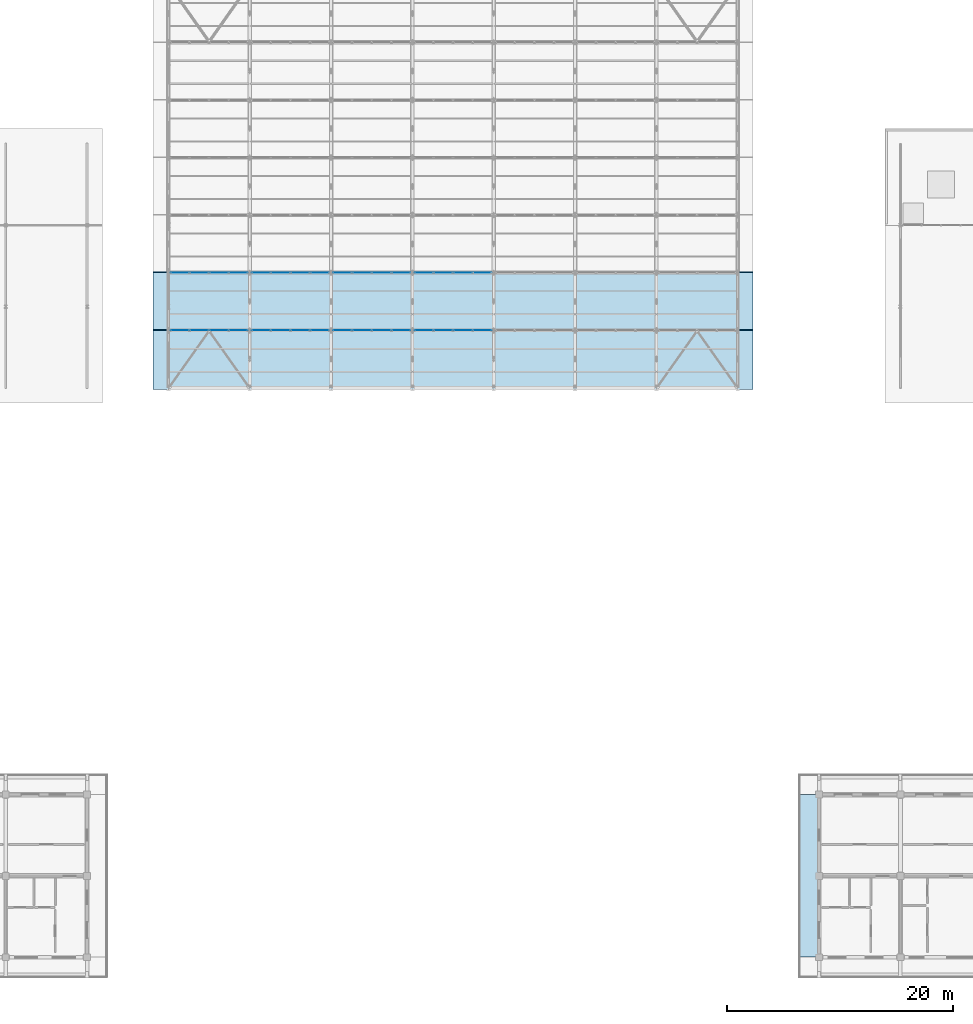
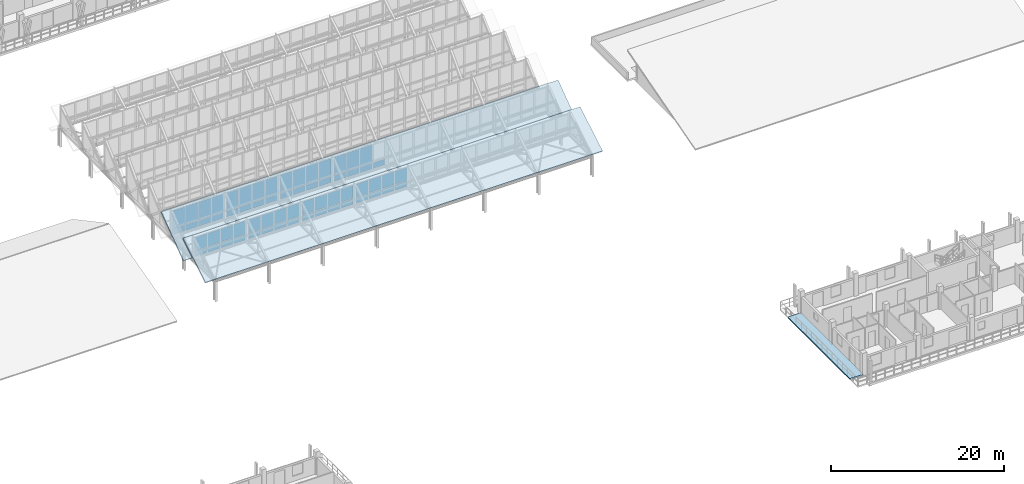
# One storey, part 98 of 157: 63 plates, 3 slabs, 8 elements without a shape of their own.
"""IFC4 building model written with IfcOpenShell, lengths in metres."""

from ifc_helpers import new_model, si_unit, direction, frame, origin, origin_2d, place, context, subcontext, project, spatial, polyline, rectangle, outline, extrude, material, layer, layer_set, type_object, element, aggregate, save


model = new_model("IFC4")

# Units and contexts
model_context = context("Model", 3, precision=1e-05, world=origin(), true_north=direction((0.0, 1.0)))
body_context = subcontext(model_context, "Body", "Model", "MODEL_VIEW")
ifc_project = project(units=[si_unit("LENGTHUNIT", "METRE"), si_unit("AREAUNIT", "SQUARE_METRE"), si_unit("VOLUMEUNIT", "CUBIC_METRE"), si_unit("PLANEANGLEUNIT", "RADIAN"), si_unit("MASSUNIT", "GRAM", prefix="KILO")], contexts=[model_context])

# Site, building, storey
site_placement = place(None, origin())
site = spatial("IfcSite", under=ifc_project, at=site_placement, CompositionType="ELEMENT")
building_placement = place(site_placement, origin())
building = spatial("IfcBuilding", under=site, at=building_placement, Name="Suanplinth Sawtooth Commons", CompositionType="ELEMENT")
storey_placement = place(building_placement, frame((0.0, 0.0, 9.0)))
storey = spatial("IfcBuildingStorey", under=building, at=storey_placement, Name="L02", CompositionType="ELEMENT", Elevation=9.0)

# Curtain wall, plates
ifc_material_1 = material(Name="Anodized aluminium and low-E glazing", Category="aluminium")
curtain_wall_type = type_object("IfcCurtainWallType", Name="CW-03", PredefinedType="USERDEFINED", material=ifc_material_1)
curtain_wall_1_placement = place(storey_placement, origin())
curtain_wall_1 = element("IfcCurtainWall", 1, at=curtain_wall_1_placement, inside=storey, type_object=curtain_wall_type, Name="Curtain Wall CW-SAW-T1-B1", ObjectType="CURTAIN WALL", PredefinedType="USERDEFINED")
ifc_material_2 = material(Name="Diffused north-light laminated glazing", Category="glass")
ifc_layer_1 = layer(ifc_material_2, 0.02587890625, Name="Sawtooth north-light diffused glazing panel 26mm")
ifc_layer_set_1 = layer_set([ifc_layer_1], Name="Diffused north-light laminated glazing")
plate_type_1 = type_object("IfcPlateType", Name="PL-07", PredefinedType="CURTAIN_PANEL", material=ifc_layer_set_1)
plate_1_placement = place(storey_placement, frame((65.808837890625, 55.5, 3.054931640625), z_axis=(0.0, 0.0, 1.0), x_axis=(1.0, 0.0, 0.0)))
plate_1 = element("IfcPlate", 2, at=plate_1_placement, type_object=plate_type_1, Name="CW-03 panel 1.1", PredefinedType="CURTAIN_PANEL", context=body_context, shape_type="SweptSolid", body=[
    extrude(rectangle(XDim=1.62744140625, YDim=0.02587890625, at=origin_2d()), origin(), (0.0, 0.0, 1.0), 0.78759765625),
])
plate_2_placement = place(storey_placement, frame((65.808837890625, 55.5, 3.91748046875), z_axis=(0.0, 0.0, 1.0), x_axis=(1.0, 0.0, 0.0)))
plate_2 = element("IfcPlate", 3, at=plate_2_placement, type_object=plate_type_1, Name="CW-03 panel 1.2", PredefinedType="CURTAIN_PANEL", context=body_context, shape_type="SweptSolid", body=[
    extrude(rectangle(XDim=1.62744140625, YDim=0.02587890625, at=origin_2d()), origin(), (0.0, 0.0, 1.0), 1.847412109375),
])
plate_3_placement = place(storey_placement, frame((67.530029296875, 55.5, 3.054931640625), z_axis=(0.0, 0.0, 1.0), x_axis=(1.0, 0.0, 0.0)))
plate_3 = element("IfcPlate", 4, at=plate_3_placement, type_object=plate_type_1, Name="CW-03 panel 2.1", PredefinedType="CURTAIN_PANEL", context=body_context, shape_type="SweptSolid", body=[
    extrude(rectangle(XDim=1.6650390625, YDim=0.02587890625, at=origin_2d()), origin(), (0.0, 0.0, 1.0), 0.78759765625),
])
plate_4_placement = place(storey_placement, frame((67.530029296875, 55.5, 3.91748046875), z_axis=(0.0, 0.0, 1.0), x_axis=(1.0, 0.0, 0.0)))
plate_4 = element("IfcPlate", 5, at=plate_4_placement, type_object=plate_type_1, Name="CW-03 panel 2.2", PredefinedType="CURTAIN_PANEL", context=body_context, shape_type="SweptSolid", body=[
    extrude(rectangle(XDim=1.6650390625, YDim=0.02587890625, at=origin_2d()), origin(), (0.0, 0.0, 1.0), 1.847412109375),
])
plate_5_placement = place(storey_placement, frame((69.27001953125, 55.5, 3.054931640625), z_axis=(0.0, 0.0, 1.0), x_axis=(1.0, 0.0, 0.0)))
plate_5 = element("IfcPlate", 6, at=plate_5_placement, type_object=plate_type_1, Name="CW-03 panel 3.1", PredefinedType="CURTAIN_PANEL", context=body_context, shape_type="SweptSolid", body=[
    extrude(rectangle(XDim=1.6650390625, YDim=0.02587890625, at=origin_2d()), origin(), (0.0, 0.0, 1.0), 0.78759765625),
])
plate_6_placement = place(storey_placement, frame((69.27001953125, 55.5, 3.91748046875), z_axis=(0.0, 0.0, 1.0), x_axis=(1.0, 0.0, 0.0)))
plate_6 = element("IfcPlate", 7, at=plate_6_placement, type_object=plate_type_1, Name="CW-03 panel 3.2", PredefinedType="CURTAIN_PANEL", context=body_context, shape_type="SweptSolid", body=[
    extrude(rectangle(XDim=1.6650390625, YDim=0.02587890625, at=origin_2d()), origin(), (0.0, 0.0, 1.0), 1.847412109375),
])
plate_7_placement = place(storey_placement, frame((70.9912109375, 55.5, 3.054931640625), z_axis=(0.0, 0.0, 1.0), x_axis=(1.0, 0.0, 0.0)))
plate_7 = element("IfcPlate", 8, at=plate_7_placement, type_object=plate_type_1, Name="CW-03 panel 4.1", PredefinedType="CURTAIN_PANEL", context=body_context, shape_type="SweptSolid", body=[
    extrude(rectangle(XDim=1.62744140625, YDim=0.02587890625, at=origin_2d()), origin(), (0.0, 0.0, 1.0), 0.78759765625),
])
plate_8_placement = place(storey_placement, frame((70.9912109375, 55.5, 3.91748046875), z_axis=(0.0, 0.0, 1.0), x_axis=(1.0, 0.0, 0.0)))
plate_8 = element("IfcPlate", 9, at=plate_8_placement, type_object=plate_type_1, Name="CW-03 panel 4.2", PredefinedType="CURTAIN_PANEL", context=body_context, shape_type="SweptSolid", body=[
    extrude(rectangle(XDim=1.62744140625, YDim=0.02587890625, at=origin_2d()), origin(), (0.0, 0.0, 1.0), 1.847412109375),
])
aggregate(curtain_wall_1, [plate_1, plate_2, plate_3, plate_4, plate_5, plate_6, plate_7, plate_8])

curtain_wall_2_placement = place(storey_placement, origin())
curtain_wall_2 = element("IfcCurtainWall", 10, at=curtain_wall_2_placement, inside=storey, type_object=curtain_wall_type, Name="Curtain Wall CW-SAW-T1-B2", ObjectType="CURTAIN WALL", PredefinedType="USERDEFINED")
plate_9_placement = place(storey_placement, frame((73.0087890625, 55.5, 3.054931640625), z_axis=(0.0, 0.0, 1.0), x_axis=(1.0, 0.0, 0.0)))
plate_9 = element("IfcPlate", 11, at=plate_9_placement, type_object=plate_type_1, Name="CW-03 panel 1.1", PredefinedType="CURTAIN_PANEL", context=body_context, shape_type="SweptSolid", body=[
    extrude(rectangle(XDim=1.62744140625, YDim=0.02587890625, at=origin_2d()), origin(), (0.0, 0.0, 1.0), 0.78759765625),
])
plate_10_placement = place(storey_placement, frame((73.0087890625, 55.5, 3.91748046875), z_axis=(0.0, 0.0, 1.0), x_axis=(1.0, 0.0, 0.0)))
plate_10 = element("IfcPlate", 12, at=plate_10_placement, type_object=plate_type_1, Name="CW-03 panel 1.2", PredefinedType="CURTAIN_PANEL", context=body_context, shape_type="SweptSolid", body=[
    extrude(rectangle(XDim=1.62744140625, YDim=0.02587890625, at=origin_2d()), origin(), (0.0, 0.0, 1.0), 1.847412109375),
])
plate_11_placement = place(storey_placement, frame((74.72998046875, 55.5, 3.054931640625), z_axis=(0.0, 0.0, 1.0), x_axis=(1.0, 0.0, 0.0)))
plate_11 = element("IfcPlate", 13, at=plate_11_placement, type_object=plate_type_1, Name="CW-03 panel 2.1", PredefinedType="CURTAIN_PANEL", context=body_context, shape_type="SweptSolid", body=[
    extrude(rectangle(XDim=1.6650390625, YDim=0.02587890625, at=origin_2d()), origin(), (0.0, 0.0, 1.0), 0.78759765625),
])
plate_12_placement = place(storey_placement, frame((74.72998046875, 55.5, 3.91748046875), z_axis=(0.0, 0.0, 1.0), x_axis=(1.0, 0.0, 0.0)))
plate_12 = element("IfcPlate", 14, at=plate_12_placement, type_object=plate_type_1, Name="CW-03 panel 2.2", PredefinedType="CURTAIN_PANEL", context=body_context, shape_type="SweptSolid", body=[
    extrude(rectangle(XDim=1.6650390625, YDim=0.02587890625, at=origin_2d()), origin(), (0.0, 0.0, 1.0), 1.847412109375),
])
plate_13_placement = place(storey_placement, frame((76.469970703125, 55.5, 3.054931640625), z_axis=(0.0, 0.0, 1.0), x_axis=(1.0, 0.0, 0.0)))
plate_13 = element("IfcPlate", 15, at=plate_13_placement, type_object=plate_type_1, Name="CW-03 panel 3.1", PredefinedType="CURTAIN_PANEL", context=body_context, shape_type="SweptSolid", body=[
    extrude(rectangle(XDim=1.6650390625, YDim=0.02587890625, at=origin_2d()), origin(), (0.0, 0.0, 1.0), 0.78759765625),
])
plate_14_placement = place(storey_placement, frame((76.469970703125, 55.5, 3.91748046875), z_axis=(0.0, 0.0, 1.0), x_axis=(1.0, 0.0, 0.0)))
plate_14 = element("IfcPlate", 16, at=plate_14_placement, type_object=plate_type_1, Name="CW-03 panel 3.2", PredefinedType="CURTAIN_PANEL", context=body_context, shape_type="SweptSolid", body=[
    extrude(rectangle(XDim=1.6650390625, YDim=0.02587890625, at=origin_2d()), origin(), (0.0, 0.0, 1.0), 1.847412109375),
])
plate_15_placement = place(storey_placement, frame((78.191162109375, 55.5, 3.054931640625), z_axis=(0.0, 0.0, 1.0), x_axis=(1.0, 0.0, 0.0)))
plate_15 = element("IfcPlate", 17, at=plate_15_placement, type_object=plate_type_1, Name="CW-03 panel 4.1", PredefinedType="CURTAIN_PANEL", context=body_context, shape_type="SweptSolid", body=[
    extrude(rectangle(XDim=1.62744140625, YDim=0.02587890625, at=origin_2d()), origin(), (0.0, 0.0, 1.0), 0.78759765625),
])
plate_16_placement = place(storey_placement, frame((78.191162109375, 55.5, 3.91748046875), z_axis=(0.0, 0.0, 1.0), x_axis=(1.0, 0.0, 0.0)))
plate_16 = element("IfcPlate", 18, at=plate_16_placement, type_object=plate_type_1, Name="CW-03 panel 4.2", PredefinedType="CURTAIN_PANEL", context=body_context, shape_type="SweptSolid", body=[
    extrude(rectangle(XDim=1.62744140625, YDim=0.02587890625, at=origin_2d()), origin(), (0.0, 0.0, 1.0), 1.847412109375),
])
aggregate(curtain_wall_2, [plate_9, plate_10, plate_11, plate_12, plate_13, plate_14, plate_15, plate_16])

curtain_wall_3_placement = place(storey_placement, origin())
curtain_wall_3 = element("IfcCurtainWall", 19, at=curtain_wall_3_placement, inside=storey, type_object=curtain_wall_type, Name="Curtain Wall CW-SAW-T1-B3", ObjectType="CURTAIN WALL", PredefinedType="USERDEFINED")
plate_17_placement = place(storey_placement, frame((80.208740234375, 55.5, 3.054931640625), z_axis=(0.0, 0.0, 1.0), x_axis=(1.0, 0.0, 0.0)))
plate_17 = element("IfcPlate", 20, at=plate_17_placement, type_object=plate_type_1, Name="CW-03 panel 1.1", PredefinedType="CURTAIN_PANEL", context=body_context, shape_type="SweptSolid", body=[
    extrude(rectangle(XDim=1.62744140625, YDim=0.02587890625, at=origin_2d()), origin(), (0.0, 0.0, 1.0), 0.78759765625),
])
plate_18_placement = place(storey_placement, frame((80.208740234375, 55.5, 3.91748046875), z_axis=(0.0, 0.0, 1.0), x_axis=(1.0, 0.0, 0.0)))
plate_18 = element("IfcPlate", 21, at=plate_18_placement, type_object=plate_type_1, Name="CW-03 panel 1.2", PredefinedType="CURTAIN_PANEL", context=body_context, shape_type="SweptSolid", body=[
    extrude(rectangle(XDim=1.62744140625, YDim=0.02587890625, at=origin_2d()), origin(), (0.0, 0.0, 1.0), 1.847412109375),
])
plate_19_placement = place(storey_placement, frame((81.929931640625, 55.5, 3.054931640625), z_axis=(0.0, 0.0, 1.0), x_axis=(1.0, 0.0, 0.0)))
plate_19 = element("IfcPlate", 22, at=plate_19_placement, type_object=plate_type_1, Name="CW-03 panel 2.1", PredefinedType="CURTAIN_PANEL", context=body_context, shape_type="SweptSolid", body=[
    extrude(rectangle(XDim=1.6650390625, YDim=0.02587890625, at=origin_2d()), origin(), (0.0, 0.0, 1.0), 0.78759765625),
])
plate_20_placement = place(storey_placement, frame((81.929931640625, 55.5, 3.91748046875), z_axis=(0.0, 0.0, 1.0), x_axis=(1.0, 0.0, 0.0)))
plate_20 = element("IfcPlate", 23, at=plate_20_placement, type_object=plate_type_1, Name="CW-03 panel 2.2", PredefinedType="CURTAIN_PANEL", context=body_context, shape_type="SweptSolid", body=[
    extrude(rectangle(XDim=1.6650390625, YDim=0.02587890625, at=origin_2d()), origin(), (0.0, 0.0, 1.0), 1.847412109375),
])
plate_21_placement = place(storey_placement, frame((83.669921875, 55.5, 3.054931640625), z_axis=(0.0, 0.0, 1.0), x_axis=(1.0, 0.0, 0.0)))
plate_21 = element("IfcPlate", 24, at=plate_21_placement, type_object=plate_type_1, Name="CW-03 panel 3.1", PredefinedType="CURTAIN_PANEL", context=body_context, shape_type="SweptSolid", body=[
    extrude(rectangle(XDim=1.6650390625, YDim=0.02587890625, at=origin_2d()), origin(), (0.0, 0.0, 1.0), 0.78759765625),
])
plate_22_placement = place(storey_placement, frame((83.669921875, 55.5, 3.91748046875), z_axis=(0.0, 0.0, 1.0), x_axis=(1.0, 0.0, 0.0)))
plate_22 = element("IfcPlate", 25, at=plate_22_placement, type_object=plate_type_1, Name="CW-03 panel 3.2", PredefinedType="CURTAIN_PANEL", context=body_context, shape_type="SweptSolid", body=[
    extrude(rectangle(XDim=1.6650390625, YDim=0.02587890625, at=origin_2d()), origin(), (0.0, 0.0, 1.0), 1.847412109375),
])
plate_23_placement = place(storey_placement, frame((85.391357421875, 55.5, 3.054931640625), z_axis=(0.0, 0.0, 1.0), x_axis=(1.0, 0.0, 0.0)))
plate_23 = element("IfcPlate", 26, at=plate_23_placement, type_object=plate_type_1, Name="CW-03 panel 4.1", PredefinedType="CURTAIN_PANEL", context=body_context, shape_type="SweptSolid", body=[
    extrude(rectangle(XDim=1.62744140625, YDim=0.02587890625, at=origin_2d()), origin(), (0.0, 0.0, 1.0), 0.78759765625),
])
plate_24_placement = place(storey_placement, frame((85.391357421875, 55.5, 3.91748046875), z_axis=(0.0, 0.0, 1.0), x_axis=(1.0, 0.0, 0.0)))
plate_24 = element("IfcPlate", 27, at=plate_24_placement, type_object=plate_type_1, Name="CW-03 panel 4.2", PredefinedType="CURTAIN_PANEL", context=body_context, shape_type="SweptSolid", body=[
    extrude(rectangle(XDim=1.62744140625, YDim=0.02587890625, at=origin_2d()), origin(), (0.0, 0.0, 1.0), 1.847412109375),
])
aggregate(curtain_wall_3, [plate_17, plate_18, plate_19, plate_20, plate_21, plate_22, plate_23, plate_24])

curtain_wall_4_placement = place(storey_placement, origin())
curtain_wall_4 = element("IfcCurtainWall", 28, at=curtain_wall_4_placement, inside=storey, type_object=curtain_wall_type, Name="Curtain Wall CW-SAW-T1-B4", ObjectType="CURTAIN WALL", PredefinedType="USERDEFINED")
plate_25_placement = place(storey_placement, frame((87.40869140625, 55.5, 3.054931640625), z_axis=(0.0, 0.0, 1.0), x_axis=(1.0, 0.0, 0.0)))
plate_25 = element("IfcPlate", 29, at=plate_25_placement, type_object=plate_type_1, Name="CW-03 panel 1.1", PredefinedType="CURTAIN_PANEL", context=body_context, shape_type="SweptSolid", body=[
    extrude(rectangle(XDim=1.62744140625, YDim=0.02587890625, at=origin_2d()), origin(), (0.0, 0.0, 1.0), 0.78759765625),
])
plate_26_placement = place(storey_placement, frame((87.40869140625, 55.5, 3.91748046875), z_axis=(0.0, 0.0, 1.0), x_axis=(1.0, 0.0, 0.0)))
plate_26 = element("IfcPlate", 30, at=plate_26_placement, type_object=plate_type_1, Name="CW-03 panel 1.2", PredefinedType="CURTAIN_PANEL", context=body_context, shape_type="SweptSolid", body=[
    extrude(rectangle(XDim=1.62744140625, YDim=0.02587890625, at=origin_2d()), origin(), (0.0, 0.0, 1.0), 1.847412109375),
])
plate_27_placement = place(storey_placement, frame((89.1298828125, 55.5, 3.054931640625), z_axis=(0.0, 0.0, 1.0), x_axis=(1.0, 0.0, 0.0)))
plate_27 = element("IfcPlate", 31, at=plate_27_placement, type_object=plate_type_1, Name="CW-03 panel 2.1", PredefinedType="CURTAIN_PANEL", context=body_context, shape_type="SweptSolid", body=[
    extrude(rectangle(XDim=1.6650390625, YDim=0.02587890625, at=origin_2d()), origin(), (0.0, 0.0, 1.0), 0.78759765625),
])
plate_28_placement = place(storey_placement, frame((89.1298828125, 55.5, 3.91748046875), z_axis=(0.0, 0.0, 1.0), x_axis=(1.0, 0.0, 0.0)))
plate_28 = element("IfcPlate", 32, at=plate_28_placement, type_object=plate_type_1, Name="CW-03 panel 2.2", PredefinedType="CURTAIN_PANEL", context=body_context, shape_type="SweptSolid", body=[
    extrude(rectangle(XDim=1.6650390625, YDim=0.02587890625, at=origin_2d()), origin(), (0.0, 0.0, 1.0), 1.847412109375),
])
plate_29_placement = place(storey_placement, frame((90.8701171875, 55.5, 3.054931640625), z_axis=(0.0, 0.0, 1.0), x_axis=(1.0, 0.0, 0.0)))
plate_29 = element("IfcPlate", 33, at=plate_29_placement, type_object=plate_type_1, Name="CW-03 panel 3.1", PredefinedType="CURTAIN_PANEL", context=body_context, shape_type="SweptSolid", body=[
    extrude(rectangle(XDim=1.6650390625, YDim=0.02587890625, at=origin_2d()), origin(), (0.0, 0.0, 1.0), 0.78759765625),
])
plate_30_placement = place(storey_placement, frame((90.8701171875, 55.5, 3.91748046875), z_axis=(0.0, 0.0, 1.0), x_axis=(1.0, 0.0, 0.0)))
plate_30 = element("IfcPlate", 34, at=plate_30_placement, type_object=plate_type_1, Name="CW-03 panel 3.2", PredefinedType="CURTAIN_PANEL", context=body_context, shape_type="SweptSolid", body=[
    extrude(rectangle(XDim=1.6650390625, YDim=0.02587890625, at=origin_2d()), origin(), (0.0, 0.0, 1.0), 1.847412109375),
])
plate_31_placement = place(storey_placement, frame((92.59130859375, 55.5, 3.054931640625), z_axis=(0.0, 0.0, 1.0), x_axis=(1.0, 0.0, 0.0)))
plate_31 = element("IfcPlate", 35, at=plate_31_placement, type_object=plate_type_1, Name="CW-03 panel 4.1", PredefinedType="CURTAIN_PANEL", context=body_context, shape_type="SweptSolid", body=[
    extrude(rectangle(XDim=1.62744140625, YDim=0.02587890625, at=origin_2d()), origin(), (0.0, 0.0, 1.0), 0.78759765625),
])
plate_32_placement = place(storey_placement, frame((92.59130859375, 55.5, 3.91748046875), z_axis=(0.0, 0.0, 1.0), x_axis=(1.0, 0.0, 0.0)))
plate_32 = element("IfcPlate", 36, at=plate_32_placement, type_object=plate_type_1, Name="CW-03 panel 4.2", PredefinedType="CURTAIN_PANEL", context=body_context, shape_type="SweptSolid", body=[
    extrude(rectangle(XDim=1.62744140625, YDim=0.02587890625, at=origin_2d()), origin(), (0.0, 0.0, 1.0), 1.847412109375),
])
aggregate(curtain_wall_4, [plate_25, plate_26, plate_27, plate_28, plate_29, plate_30, plate_31, plate_32])

curtain_wall_5_placement = place(storey_placement, origin())
curtain_wall_5 = element("IfcCurtainWall", 37, at=curtain_wall_5_placement, inside=storey, type_object=curtain_wall_type, Name="Curtain Wall CW-SAW-T2-B1", ObjectType="CURTAIN WALL", PredefinedType="USERDEFINED")
ifc_material_3 = material(Name="Diffused solar-control north-light glazing", Category="glass")
ifc_layer_2 = layer(ifc_material_3, 0.033935546875, Name="Sawtooth upper diffused glazing panel 34mm")
ifc_layer_set_2 = layer_set([ifc_layer_2], Name="Diffused solar-control north-light glazing")
plate_type_2 = type_object("IfcPlateType", Name="PL-09", PredefinedType="CURTAIN_PANEL", material=ifc_layer_set_2)
plate_33_placement = place(storey_placement, frame((65.808837890625, 60.60009765625, 3.054931640625), z_axis=(0.0, 0.0, 1.0), x_axis=(1.0, 0.0, 0.0)))
plate_33 = element("IfcPlate", 38, at=plate_33_placement, type_object=plate_type_2, Name="CW-03 panel 1.1", PredefinedType="CURTAIN_PANEL", context=body_context, shape_type="SweptSolid", body=[
    extrude(rectangle(XDim=1.62744140625, YDim=0.033935546875, at=origin_2d()), origin(), (0.0, 0.0, 1.0), 0.78759765625),
])
plate_34_placement = place(storey_placement, frame((65.808837890625, 60.60009765625, 3.91748046875), z_axis=(0.0, 0.0, 1.0), x_axis=(1.0, 0.0, 0.0)))
plate_34 = element("IfcPlate", 39, at=plate_34_placement, type_object=plate_type_2, Name="CW-03 panel 1.2", PredefinedType="CURTAIN_PANEL", context=body_context, shape_type="SweptSolid", body=[
    extrude(rectangle(XDim=1.62744140625, YDim=0.033935546875, at=origin_2d()), origin(), (0.0, 0.0, 1.0), 2.547607421875),
])
plate_35_placement = place(storey_placement, frame((67.530029296875, 60.60009765625, 3.054931640625), z_axis=(0.0, 0.0, 1.0), x_axis=(1.0, 0.0, 0.0)))
plate_35 = element("IfcPlate", 40, at=plate_35_placement, type_object=plate_type_2, Name="CW-03 panel 2.1", PredefinedType="CURTAIN_PANEL", context=body_context, shape_type="SweptSolid", body=[
    extrude(rectangle(XDim=1.6650390625, YDim=0.033935546875, at=origin_2d()), origin(), (0.0, 0.0, 1.0), 0.78759765625),
])
plate_36_placement = place(storey_placement, frame((67.530029296875, 60.60009765625, 3.91748046875), z_axis=(0.0, 0.0, 1.0), x_axis=(1.0, 0.0, 0.0)))
plate_36 = element("IfcPlate", 41, at=plate_36_placement, type_object=plate_type_2, Name="CW-03 panel 2.2", PredefinedType="CURTAIN_PANEL", context=body_context, shape_type="SweptSolid", body=[
    extrude(rectangle(XDim=1.6650390625, YDim=0.033935546875, at=origin_2d()), origin(), (0.0, 0.0, 1.0), 2.547607421875),
])
plate_37_placement = place(storey_placement, frame((69.27001953125, 60.60009765625, 3.054931640625), z_axis=(0.0, 0.0, 1.0), x_axis=(1.0, 0.0, 0.0)))
plate_37 = element("IfcPlate", 42, at=plate_37_placement, type_object=plate_type_2, Name="CW-03 panel 3.1", PredefinedType="CURTAIN_PANEL", context=body_context, shape_type="SweptSolid", body=[
    extrude(rectangle(XDim=1.6650390625, YDim=0.033935546875, at=origin_2d()), origin(), (0.0, 0.0, 1.0), 0.78759765625),
])
plate_38_placement = place(storey_placement, frame((69.27001953125, 60.60009765625, 3.91748046875), z_axis=(0.0, 0.0, 1.0), x_axis=(1.0, 0.0, 0.0)))
plate_38 = element("IfcPlate", 43, at=plate_38_placement, type_object=plate_type_2, Name="CW-03 panel 3.2", PredefinedType="CURTAIN_PANEL", context=body_context, shape_type="SweptSolid", body=[
    extrude(rectangle(XDim=1.6650390625, YDim=0.033935546875, at=origin_2d()), origin(), (0.0, 0.0, 1.0), 2.547607421875),
])
plate_39_placement = place(storey_placement, frame((70.9912109375, 60.60009765625, 3.054931640625), z_axis=(0.0, 0.0, 1.0), x_axis=(1.0, 0.0, 0.0)))
plate_39 = element("IfcPlate", 44, at=plate_39_placement, type_object=plate_type_2, Name="CW-03 panel 4.1", PredefinedType="CURTAIN_PANEL", context=body_context, shape_type="SweptSolid", body=[
    extrude(rectangle(XDim=1.62744140625, YDim=0.033935546875, at=origin_2d()), origin(), (0.0, 0.0, 1.0), 0.78759765625),
])
plate_40_placement = place(storey_placement, frame((70.9912109375, 60.60009765625, 3.91748046875), z_axis=(0.0, 0.0, 1.0), x_axis=(1.0, 0.0, 0.0)))
plate_40 = element("IfcPlate", 45, at=plate_40_placement, type_object=plate_type_2, Name="CW-03 panel 4.2", PredefinedType="CURTAIN_PANEL", context=body_context, shape_type="SweptSolid", body=[
    extrude(rectangle(XDim=1.62744140625, YDim=0.033935546875, at=origin_2d()), origin(), (0.0, 0.0, 1.0), 2.547607421875),
])
aggregate(curtain_wall_5, [plate_33, plate_34, plate_35, plate_36, plate_37, plate_38, plate_39, plate_40])

curtain_wall_6_placement = place(storey_placement, origin())
curtain_wall_6 = element("IfcCurtainWall", 46, at=curtain_wall_6_placement, inside=storey, type_object=curtain_wall_type, Name="Curtain Wall CW-SAW-T2-B2", ObjectType="CURTAIN WALL", PredefinedType="USERDEFINED")
plate_41_placement = place(storey_placement, frame((73.0087890625, 60.60009765625, 3.054931640625), z_axis=(0.0, 0.0, 1.0), x_axis=(1.0, 0.0, 0.0)))
plate_41 = element("IfcPlate", 47, at=plate_41_placement, type_object=plate_type_2, Name="CW-03 panel 1.1", PredefinedType="CURTAIN_PANEL", context=body_context, shape_type="SweptSolid", body=[
    extrude(rectangle(XDim=1.62744140625, YDim=0.033935546875, at=origin_2d()), origin(), (0.0, 0.0, 1.0), 0.78759765625),
])
plate_42_placement = place(storey_placement, frame((73.0087890625, 60.60009765625, 3.91748046875), z_axis=(0.0, 0.0, 1.0), x_axis=(1.0, 0.0, 0.0)))
plate_42 = element("IfcPlate", 48, at=plate_42_placement, type_object=plate_type_2, Name="CW-03 panel 1.2", PredefinedType="CURTAIN_PANEL", context=body_context, shape_type="SweptSolid", body=[
    extrude(rectangle(XDim=1.62744140625, YDim=0.033935546875, at=origin_2d()), origin(), (0.0, 0.0, 1.0), 2.547607421875),
])
plate_43_placement = place(storey_placement, frame((74.72998046875, 60.60009765625, 3.054931640625), z_axis=(0.0, 0.0, 1.0), x_axis=(1.0, 0.0, 0.0)))
plate_43 = element("IfcPlate", 49, at=plate_43_placement, type_object=plate_type_2, Name="CW-03 panel 2.1", PredefinedType="CURTAIN_PANEL", context=body_context, shape_type="SweptSolid", body=[
    extrude(rectangle(XDim=1.6650390625, YDim=0.033935546875, at=origin_2d()), origin(), (0.0, 0.0, 1.0), 0.78759765625),
])
plate_44_placement = place(storey_placement, frame((74.72998046875, 60.60009765625, 3.91748046875), z_axis=(0.0, 0.0, 1.0), x_axis=(1.0, 0.0, 0.0)))
plate_44 = element("IfcPlate", 50, at=plate_44_placement, type_object=plate_type_2, Name="CW-03 panel 2.2", PredefinedType="CURTAIN_PANEL", context=body_context, shape_type="SweptSolid", body=[
    extrude(rectangle(XDim=1.6650390625, YDim=0.033935546875, at=origin_2d()), origin(), (0.0, 0.0, 1.0), 2.547607421875),
])
plate_45_placement = place(storey_placement, frame((76.469970703125, 60.60009765625, 3.054931640625), z_axis=(0.0, 0.0, 1.0), x_axis=(1.0, 0.0, 0.0)))
plate_45 = element("IfcPlate", 51, at=plate_45_placement, type_object=plate_type_2, Name="CW-03 panel 3.1", PredefinedType="CURTAIN_PANEL", context=body_context, shape_type="SweptSolid", body=[
    extrude(rectangle(XDim=1.6650390625, YDim=0.033935546875, at=origin_2d()), origin(), (0.0, 0.0, 1.0), 0.78759765625),
])
plate_46_placement = place(storey_placement, frame((76.469970703125, 60.60009765625, 3.91748046875), z_axis=(0.0, 0.0, 1.0), x_axis=(1.0, 0.0, 0.0)))
plate_46 = element("IfcPlate", 52, at=plate_46_placement, type_object=plate_type_2, Name="CW-03 panel 3.2", PredefinedType="CURTAIN_PANEL", context=body_context, shape_type="SweptSolid", body=[
    extrude(rectangle(XDim=1.6650390625, YDim=0.033935546875, at=origin_2d()), origin(), (0.0, 0.0, 1.0), 2.547607421875),
])
plate_47_placement = place(storey_placement, frame((78.191162109375, 60.60009765625, 3.054931640625), z_axis=(0.0, 0.0, 1.0), x_axis=(1.0, 0.0, 0.0)))
plate_47 = element("IfcPlate", 53, at=plate_47_placement, type_object=plate_type_2, Name="CW-03 panel 4.1", PredefinedType="CURTAIN_PANEL", context=body_context, shape_type="SweptSolid", body=[
    extrude(rectangle(XDim=1.62744140625, YDim=0.033935546875, at=origin_2d()), origin(), (0.0, 0.0, 1.0), 0.78759765625),
])
plate_48_placement = place(storey_placement, frame((78.191162109375, 60.60009765625, 3.91748046875), z_axis=(0.0, 0.0, 1.0), x_axis=(1.0, 0.0, 0.0)))
plate_48 = element("IfcPlate", 54, at=plate_48_placement, type_object=plate_type_2, Name="CW-03 panel 4.2", PredefinedType="CURTAIN_PANEL", context=body_context, shape_type="SweptSolid", body=[
    extrude(rectangle(XDim=1.62744140625, YDim=0.033935546875, at=origin_2d()), origin(), (0.0, 0.0, 1.0), 2.547607421875),
])
aggregate(curtain_wall_6, [plate_41, plate_42, plate_43, plate_44, plate_45, plate_46, plate_47, plate_48])

curtain_wall_7_placement = place(storey_placement, origin())
curtain_wall_7 = element("IfcCurtainWall", 55, at=curtain_wall_7_placement, inside=storey, type_object=curtain_wall_type, Name="Curtain Wall CW-SAW-T2-B3", ObjectType="CURTAIN WALL", PredefinedType="USERDEFINED")
plate_49_placement = place(storey_placement, frame((80.208740234375, 60.60009765625, 3.054931640625), z_axis=(0.0, 0.0, 1.0), x_axis=(1.0, 0.0, 0.0)))
plate_49 = element("IfcPlate", 56, at=plate_49_placement, type_object=plate_type_2, Name="CW-03 panel 1.1", PredefinedType="CURTAIN_PANEL", context=body_context, shape_type="SweptSolid", body=[
    extrude(rectangle(XDim=1.62744140625, YDim=0.033935546875, at=origin_2d()), origin(), (0.0, 0.0, 1.0), 0.78759765625),
])
plate_50_placement = place(storey_placement, frame((80.208740234375, 60.60009765625, 3.91748046875), z_axis=(0.0, 0.0, 1.0), x_axis=(1.0, 0.0, 0.0)))
plate_50 = element("IfcPlate", 57, at=plate_50_placement, type_object=plate_type_2, Name="CW-03 panel 1.2", PredefinedType="CURTAIN_PANEL", context=body_context, shape_type="SweptSolid", body=[
    extrude(rectangle(XDim=1.62744140625, YDim=0.033935546875, at=origin_2d()), origin(), (0.0, 0.0, 1.0), 2.547607421875),
])
plate_51_placement = place(storey_placement, frame((81.929931640625, 60.60009765625, 3.054931640625), z_axis=(0.0, 0.0, 1.0), x_axis=(1.0, 0.0, 0.0)))
plate_51 = element("IfcPlate", 58, at=plate_51_placement, type_object=plate_type_2, Name="CW-03 panel 2.1", PredefinedType="CURTAIN_PANEL", context=body_context, shape_type="SweptSolid", body=[
    extrude(rectangle(XDim=1.6650390625, YDim=0.033935546875, at=origin_2d()), origin(), (0.0, 0.0, 1.0), 0.78759765625),
])
plate_52_placement = place(storey_placement, frame((81.929931640625, 60.60009765625, 3.91748046875), z_axis=(0.0, 0.0, 1.0), x_axis=(1.0, 0.0, 0.0)))
plate_52 = element("IfcPlate", 59, at=plate_52_placement, type_object=plate_type_2, Name="CW-03 panel 2.2", PredefinedType="CURTAIN_PANEL", context=body_context, shape_type="SweptSolid", body=[
    extrude(rectangle(XDim=1.6650390625, YDim=0.033935546875, at=origin_2d()), origin(), (0.0, 0.0, 1.0), 2.547607421875),
])
plate_53_placement = place(storey_placement, frame((83.669921875, 60.60009765625, 3.054931640625), z_axis=(0.0, 0.0, 1.0), x_axis=(1.0, 0.0, 0.0)))
plate_53 = element("IfcPlate", 60, at=plate_53_placement, type_object=plate_type_2, Name="CW-03 panel 3.1", PredefinedType="CURTAIN_PANEL", context=body_context, shape_type="SweptSolid", body=[
    extrude(rectangle(XDim=1.6650390625, YDim=0.033935546875, at=origin_2d()), origin(), (0.0, 0.0, 1.0), 0.78759765625),
])
plate_54_placement = place(storey_placement, frame((83.669921875, 60.60009765625, 3.91748046875), z_axis=(0.0, 0.0, 1.0), x_axis=(1.0, 0.0, 0.0)))
plate_54 = element("IfcPlate", 61, at=plate_54_placement, type_object=plate_type_2, Name="CW-03 panel 3.2", PredefinedType="CURTAIN_PANEL", context=body_context, shape_type="SweptSolid", body=[
    extrude(rectangle(XDim=1.6650390625, YDim=0.033935546875, at=origin_2d()), origin(), (0.0, 0.0, 1.0), 2.547607421875),
])
plate_55_placement = place(storey_placement, frame((85.391357421875, 60.60009765625, 3.054931640625), z_axis=(0.0, 0.0, 1.0), x_axis=(1.0, 0.0, 0.0)))
plate_55 = element("IfcPlate", 62, at=plate_55_placement, type_object=plate_type_2, Name="CW-03 panel 4.1", PredefinedType="CURTAIN_PANEL", context=body_context, shape_type="SweptSolid", body=[
    extrude(rectangle(XDim=1.62744140625, YDim=0.033935546875, at=origin_2d()), origin(), (0.0, 0.0, 1.0), 0.78759765625),
])
plate_56_placement = place(storey_placement, frame((85.391357421875, 60.60009765625, 3.91748046875), z_axis=(0.0, 0.0, 1.0), x_axis=(1.0, 0.0, 0.0)))
plate_56 = element("IfcPlate", 63, at=plate_56_placement, type_object=plate_type_2, Name="CW-03 panel 4.2", PredefinedType="CURTAIN_PANEL", context=body_context, shape_type="SweptSolid", body=[
    extrude(rectangle(XDim=1.62744140625, YDim=0.033935546875, at=origin_2d()), origin(), (0.0, 0.0, 1.0), 2.547607421875),
])
aggregate(curtain_wall_7, [plate_49, plate_50, plate_51, plate_52, plate_53, plate_54, plate_55, plate_56])

curtain_wall_8_placement = place(storey_placement, origin())
curtain_wall_8 = element("IfcCurtainWall", 64, at=curtain_wall_8_placement, inside=storey, type_object=curtain_wall_type, Name="Curtain Wall CW-SAW-T2-B4", ObjectType="CURTAIN WALL", PredefinedType="USERDEFINED")
plate_57_placement = place(storey_placement, frame((87.40869140625, 60.60009765625, 3.054931640625), z_axis=(0.0, 0.0, 1.0), x_axis=(1.0, 0.0, 0.0)))
plate_57 = element("IfcPlate", 65, at=plate_57_placement, type_object=plate_type_2, Name="CW-03 panel 1.1", PredefinedType="CURTAIN_PANEL", context=body_context, shape_type="SweptSolid", body=[
    extrude(rectangle(XDim=1.62744140625, YDim=0.033935546875, at=origin_2d()), origin(), (0.0, 0.0, 1.0), 0.78759765625),
])
plate_58_placement = place(storey_placement, frame((87.40869140625, 60.60009765625, 3.91748046875), z_axis=(0.0, 0.0, 1.0), x_axis=(1.0, 0.0, 0.0)))
plate_58 = element("IfcPlate", 66, at=plate_58_placement, type_object=plate_type_2, Name="CW-03 panel 1.2", PredefinedType="CURTAIN_PANEL", context=body_context, shape_type="SweptSolid", body=[
    extrude(rectangle(XDim=1.62744140625, YDim=0.033935546875, at=origin_2d()), origin(), (0.0, 0.0, 1.0), 2.547607421875),
])
plate_59_placement = place(storey_placement, frame((89.1298828125, 60.60009765625, 3.054931640625), z_axis=(0.0, 0.0, 1.0), x_axis=(1.0, 0.0, 0.0)))
plate_59 = element("IfcPlate", 67, at=plate_59_placement, type_object=plate_type_2, Name="CW-03 panel 2.1", PredefinedType="CURTAIN_PANEL", context=body_context, shape_type="SweptSolid", body=[
    extrude(rectangle(XDim=1.6650390625, YDim=0.033935546875, at=origin_2d()), origin(), (0.0, 0.0, 1.0), 0.78759765625),
])
plate_60_placement = place(storey_placement, frame((89.1298828125, 60.60009765625, 3.91748046875), z_axis=(0.0, 0.0, 1.0), x_axis=(1.0, 0.0, 0.0)))
plate_60 = element("IfcPlate", 68, at=plate_60_placement, type_object=plate_type_2, Name="CW-03 panel 2.2", PredefinedType="CURTAIN_PANEL", context=body_context, shape_type="SweptSolid", body=[
    extrude(rectangle(XDim=1.6650390625, YDim=0.033935546875, at=origin_2d()), origin(), (0.0, 0.0, 1.0), 2.547607421875),
])
plate_61_placement = place(storey_placement, frame((90.8701171875, 60.60009765625, 3.054931640625), z_axis=(0.0, 0.0, 1.0), x_axis=(1.0, 0.0, 0.0)))
plate_61 = element("IfcPlate", 69, at=plate_61_placement, type_object=plate_type_2, Name="CW-03 panel 3.1", PredefinedType="CURTAIN_PANEL", context=body_context, shape_type="SweptSolid", body=[
    extrude(rectangle(XDim=1.6650390625, YDim=0.033935546875, at=origin_2d()), origin(), (0.0, 0.0, 1.0), 0.78759765625),
])
plate_62_placement = place(storey_placement, frame((90.8701171875, 60.60009765625, 3.91748046875), z_axis=(0.0, 0.0, 1.0), x_axis=(1.0, 0.0, 0.0)))
plate_62 = element("IfcPlate", 70, at=plate_62_placement, type_object=plate_type_2, Name="CW-03 panel 3.2", PredefinedType="CURTAIN_PANEL", context=body_context, shape_type="SweptSolid", body=[
    extrude(rectangle(XDim=1.6650390625, YDim=0.033935546875, at=origin_2d()), origin(), (0.0, 0.0, 1.0), 2.547607421875),
])
plate_63_placement = place(storey_placement, frame((92.59130859375, 60.60009765625, 3.054931640625), z_axis=(0.0, 0.0, 1.0), x_axis=(1.0, 0.0, 0.0)))
plate_63 = element("IfcPlate", 71, at=plate_63_placement, type_object=plate_type_2, Name="CW-03 panel 4.1", PredefinedType="CURTAIN_PANEL", context=body_context, shape_type="SweptSolid", body=[
    extrude(rectangle(XDim=1.62744140625, YDim=0.033935546875, at=origin_2d()), origin(), (0.0, 0.0, 1.0), 0.78759765625),
])
aggregate(curtain_wall_8, [plate_57, plate_58, plate_59, plate_60, plate_61, plate_62, plate_63])

# Slabs
ifc_material_4 = material(Name="Precast concrete C40/50", Category="concrete")
ifc_layer_3 = layer(ifc_material_4, 0.179931640625, Name="Wrap-around cantilevered precast balcony slab 180mm")
ifc_layer_set_3 = layer_set([ifc_layer_3], Name="Precast concrete C40/50")
slab_type_1 = type_object("IfcSlabType", Name="S-BL01", PredefinedType="FLOOR", material=ifc_layer_set_3)
slab_1_placement = place(storey_placement, frame((0.0, 0.0, -0.179931640625)))
element("IfcSlab", 72, at=slab_1_placement, inside=storey, type_object=slab_type_1, Name="L02 Block C Wrap-Around Balcony WEND", PredefinedType="FLOOR", context=body_context, shape_type="SweptSolid", body=[
    extrude(outline(polyline([(122.39990234375, 0.0), (120.60009765625, 0.0), (120.60009765625, 14.39990234375), (122.39990234375, 14.39990234375), (122.39990234375, 0.0)])), origin(), (0.0, 0.0, 1.0), 0.179931640625),
])
ifc_material_5 = material(Name="Concrete C35/45", Category="concrete")
ifc_layer_4 = layer(ifc_material_5, 0.179931640625, Name="Sawtooth & pavilion sloped composite roof deck 180mm")
ifc_layer_set_4 = layer_set([ifc_layer_4], Name="Concrete C35/45")
slab_type_2 = type_object("IfcSlabType", Name="S-RF02", PredefinedType="ROOF", material=ifc_layer_set_4)
slab_2_placement = place(storey_placement, frame((63.449951171875, 50.280029296875, 3.12939453125), z_axis=(0.0, -0.507018364806, 0.861935251483), x_axis=(1.0, 0.0, 0.0)))
element("IfcSlab", 73, at=slab_2_placement, inside=storey, type_object=slab_type_2, Name="Sawtooth Hall North-Light Roof Slope Tooth 1", PredefinedType="ROOF", context=body_context, shape_type="SweptSolid", body=[
    extrude(outline(polyline([(0.0, 0.0), (53.10009765625, 0.0), (53.10009765625, 6.056105367707005), (0.0, 6.056105367707005), (0.0, 0.0)])), origin(), (0.0, 0.0, -1.0), 0.179931640625),
])
slab_3_placement = place(storey_placement, frame((63.449951171875, 55.3798828125, 3.11279296875), z_axis=(0.0, -0.587216916386, 0.809429609732), x_axis=(1.0, 0.0, 0.0)))
element("IfcSlab", 74, at=slab_3_placement, inside=storey, type_object=slab_type_2, Name="Sawtooth Hall North-Light Roof Slope Tooth 2", PredefinedType="ROOF", context=body_context, shape_type="SweptSolid", body=[
    extrude(outline(polyline([(0.0, 0.0), (53.10009765625, 0.0), (53.10009765625, 6.4492511528952505), (0.0, 6.4492511528952505), (0.0, 0.0)])), origin(), (0.0, 0.0, -1.0), 0.179931640625),
])

save(model, "model.ifc")
